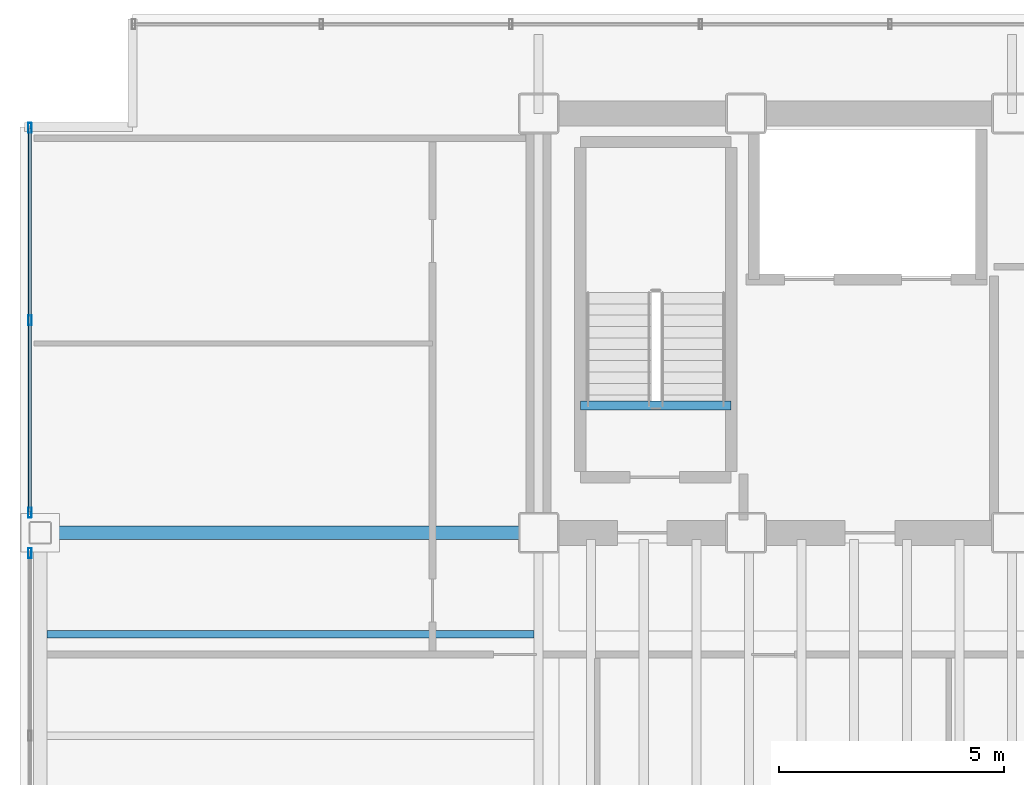
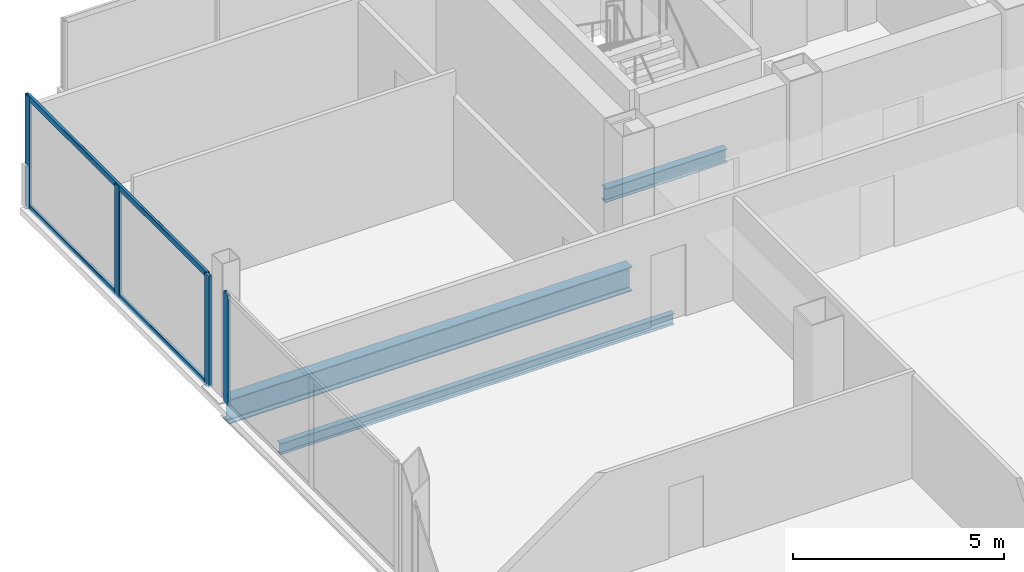
# One storey, part 7 of 20: 6 members, 3 beams, 2 elements without a shape of their own.
"""IFC4 building model written with IfcOpenShell, lengths in metres."""

from ifc_helpers import new_model, si_unit, direction, frame, origin, origin_2d, place, context, subcontext, project, spatial, hollow_rectangle, i_section, extrude, material, material_profile, profile_set, type_object, element, aggregate, save


model = new_model("IFC4")

# Units and contexts
model_context = context("Model", 3, precision=1e-05, world=origin(), true_north=direction((0.0, 1.0)))
body_context = subcontext(model_context, "Body", "Model", "MODEL_VIEW")
ifc_project = project(units=[si_unit("LENGTHUNIT", "METRE"), si_unit("AREAUNIT", "SQUARE_METRE"), si_unit("VOLUMEUNIT", "CUBIC_METRE"), si_unit("PLANEANGLEUNIT", "RADIAN"), si_unit("MASSUNIT", "GRAM", prefix="KILO")], contexts=[model_context])

# Site, building, storey
site_placement = place(None, origin())
site = spatial("IfcSite", under=ifc_project, at=site_placement, CompositionType="ELEMENT")
building_placement = place(site_placement, origin())
building = spatial("IfcBuilding", under=site, at=building_placement, Name="Noeulbin Bourse Tower", CompositionType="ELEMENT")
storey_placement = place(building_placement, frame((0.0, 0.0, 126.60009765625)))
storey = spatial("IfcBuildingStorey", under=building, at=storey_placement, Name="L31", CompositionType="ELEMENT", Elevation=126.60009765625)

# Beams
ifc_material_1 = material(Name="Steel S355", Category="steel")
ifc_material_profile_1 = material_profile(ifc_material_1, i_section(OverallWidth=0.300048828125, OverallDepth=0.699951171875, WebThickness=0.012939453125, FlangeThickness=0.02392578125, FilletRadius=0.02392578125, at=origin_2d()), Name="H-700x300x13x24", Category="LoadBearing")
ifc_profile_set_1 = profile_set([ifc_material_profile_1], Name="Steel S355")
beam_type_1 = type_object("IfcBeamType", Name="BM-GRD-700", PredefinedType="USERDEFINED", material=ifc_profile_set_1)
beam_1_placement = place(storey_placement, frame((2.449951171875, 29.0, -0.530029296875), z_axis=(1.0, 0.0, 0.0), x_axis=(0.0, 1.0, 0.0)))
element("IfcBeam", 1, at=beam_1_placement, inside=storey, type_object=beam_type_1, Name="Tower Primary Girder EW L31-2.1", ObjectType="GIRDER", PredefinedType="USERDEFINED", context=body_context, shape_type="SweptSolid", body=[
    extrude(i_section(OverallWidth=0.300048828125, OverallDepth=0.699951171875, WebThickness=0.012939453125, FlangeThickness=0.02392578125, FilletRadius=0.02392578125, at=origin_2d()), origin(), (0.0, 0.0, 1.0), 11.050048828125),
])
ifc_material_profile_2 = material_profile(ifc_material_1, i_section(OverallWidth=0.159912109375, OverallDepth=0.320068359375, WebThickness=0.006591796875, FlangeThickness=0.010009765625, FilletRadius=0.012939453125, at=origin_2d()), Name="H-320x160x6.5x10", Category="LoadBearing")
ifc_profile_set_2 = profile_set([ifc_material_profile_2], Name="Steel S355")
beam_type_2 = type_object("IfcBeamType", Name="BM-JST-320", PredefinedType="JOIST", material=ifc_profile_set_2)
beam_2_placement = place(storey_placement, frame((2.60009765625, 26.75, -0.340087890625), z_axis=(1.0, 0.0, 0.0), x_axis=(0.0, 1.0, 0.0)))
element("IfcBeam", 2, at=beam_2_placement, inside=storey, type_object=beam_type_2, Name="Wing Composite Joist L31-W49", PredefinedType="JOIST", context=body_context, shape_type="SweptSolid", body=[
    extrude(i_section(OverallWidth=0.159912109375, OverallDepth=0.320068359375, WebThickness=0.006591796875, FlangeThickness=0.010009765625, FilletRadius=0.012939453125, at=origin_2d()), origin(), (0.0, 0.0, 1.0), 10.7998046875),
])
ifc_material_profile_3 = material_profile(ifc_material_1, i_section(OverallWidth=0.199951171875, OverallDepth=0.39990234375, WebThickness=0.008056640625, FlangeThickness=0.012939453125, FilletRadius=0.01611328125, at=origin_2d()), Name="H-400x200x8x13", Category="LoadBearing")
ifc_profile_set_3 = profile_set([ifc_material_profile_3], Name="Steel S355")
beam_type_3 = type_object("IfcBeamType", Name="BM-SEC-400", PredefinedType="BEAM", material=ifc_profile_set_3)
beam_3_placement = place(storey_placement, frame((14.429931640625, 31.820068359375, -0.2001953125), z_axis=(1.0, 0.0, 0.0), x_axis=(0.0, 1.0, 0.0)))
element("IfcBeam", 3, at=beam_3_placement, inside=storey, type_object=beam_type_3, Name="Stair Threshold Trimmer Beam ST1-L31", PredefinedType="BEAM", context=body_context, shape_type="SweptSolid", body=[
    extrude(i_section(OverallWidth=0.199951171875, OverallDepth=0.39990234375, WebThickness=0.008056640625, FlangeThickness=0.012939453125, FilletRadius=0.01611328125, at=origin_2d()), origin(), (0.0, 0.0, 1.0), 3.340087890625),
])

# Curtain wall, member
ifc_material_2 = material(Name="Dark Tinted Triple Glazing", Category="glass")
curtain_wall_type = type_object("IfcCurtainWallType", Name="CW-SYS-3", PredefinedType="NOTDEFINED", material=ifc_material_2)
curtain_wall_1_placement = place(storey_placement, origin())
curtain_wall_1 = element("IfcCurtainWall", 4, at=curtain_wall_1_placement, inside=storey, type_object=curtain_wall_type, Name="Unitised Curtain Wall CW-L31-W-S2", PredefinedType="NOTDEFINED")
ifc_material_3 = material(Name="Anodised Aluminium 6063-T6", Category="aluminium")
ifc_material_profile_4 = material_profile(ifc_material_3, hollow_rectangle(XDim=0.074951171875, YDim=0.219970703125, WallThickness=0.0048828125, InnerFilletRadius=0.00244140625, OuterFilletRadius=0.0048828125, at=origin_2d()), Name="ALU-MULL-75x220x5", Category="LoadBearing")
ifc_profile_set_4 = profile_set([ifc_material_profile_4], Name="Anodised Aluminium 6063-T6")
member_type_1 = type_object("IfcMemberType", Name="CW-SYS-3-MUL", PredefinedType="MULLION", material=ifc_profile_set_4)
member_1_placement = place(storey_placement, frame((2.219970703125, 28.550048828125, -0.02001953125), z_axis=(0.0, 0.0, 1.0), x_axis=(1.0, 0.0, 0.0)))
member_1 = element("IfcMember", 5, at=member_1_placement, type_object=member_type_1, Name="Curtain Wall Mullion CW-L31-W-S2-M02", PredefinedType="MULLION", context=body_context, shape_type="SweptSolid", body=[
    extrude(hollow_rectangle(XDim=0.074951171875, YDim=0.219970703125, WallThickness=0.0048828125, InnerFilletRadius=0.00244140625, OuterFilletRadius=0.0048828125, at=origin_2d()), origin(), (0.0, 0.0, 1.0), 3.219970703125),
])
aggregate(curtain_wall_1, [member_1])

# Curtain wall, members
curtain_wall_2_placement = place(storey_placement, origin())
curtain_wall_2 = element("IfcCurtainWall", 6, at=curtain_wall_2_placement, inside=storey, type_object=curtain_wall_type, Name="Unitised Curtain Wall CW-L31-W-S3", PredefinedType="NOTDEFINED")
member_2_placement = place(storey_placement, frame((2.219970703125, 29.449951171875, -0.02001953125), z_axis=(0.0, 0.0, 1.0), x_axis=(1.0, 0.0, 0.0)))
member_2 = element("IfcMember", 7, at=member_2_placement, type_object=member_type_1, Name="Curtain Wall Mullion CW-L31-W-S3-M00", PredefinedType="MULLION", context=body_context, shape_type="SweptSolid", body=[
    extrude(hollow_rectangle(XDim=0.074951171875, YDim=0.219970703125, WallThickness=0.0048828125, InnerFilletRadius=0.00244140625, OuterFilletRadius=0.0048828125, at=origin_2d()), origin(), (0.0, 0.0, 1.0), 3.219970703125),
])
member_3_placement = place(storey_placement, frame((2.219970703125, 33.715087890625, -0.02001953125), z_axis=(0.0, 0.0, 1.0), x_axis=(1.0, 0.0, 0.0)))
member_3 = element("IfcMember", 8, at=member_3_placement, type_object=member_type_1, Name="Curtain Wall Mullion CW-L31-W-S3-M01", PredefinedType="MULLION", context=body_context, shape_type="SweptSolid", body=[
    extrude(hollow_rectangle(XDim=0.074951171875, YDim=0.219970703125, WallThickness=0.0048828125, InnerFilletRadius=0.00244140625, OuterFilletRadius=0.0048828125, at=origin_2d()), origin(), (0.0, 0.0, 1.0), 3.219970703125),
])
member_4_placement = place(storey_placement, frame((2.219970703125, 37.97998046875, -0.02001953125), z_axis=(0.0, 0.0, 1.0), x_axis=(1.0, 0.0, 0.0)))
member_4 = element("IfcMember", 9, at=member_4_placement, type_object=member_type_1, Name="Curtain Wall Mullion CW-L31-W-S3-M02", PredefinedType="MULLION", context=body_context, shape_type="SweptSolid", body=[
    extrude(hollow_rectangle(XDim=0.074951171875, YDim=0.219970703125, WallThickness=0.0048828125, InnerFilletRadius=0.00244140625, OuterFilletRadius=0.0048828125, at=origin_2d()), origin(), (0.0, 0.0, 1.0), 3.219970703125),
])
ifc_material_profile_5 = material_profile(ifc_material_3, hollow_rectangle(XDim=0.074951171875, YDim=0.159912109375, WallThickness=0.0048828125, InnerFilletRadius=0.00244140625, OuterFilletRadius=0.0048828125, at=origin_2d()), Name="ALU-TRAN-75x160x5", Category="LoadBearing")
ifc_profile_set_5 = profile_set([ifc_material_profile_5], Name="Anodised Aluminium 6063-T6")
member_type_2 = type_object("IfcMemberType", Name="CW-SYS-3-TRN", PredefinedType="USERDEFINED", material=ifc_profile_set_5)
member_5_placement = place(storey_placement, frame((2.219970703125, 29.4599609375, 0.010009765625), z_axis=(0.0, 1.0, 0.0), x_axis=(-1.0, 0.0, 0.0)))
member_5 = element("IfcMember", 10, at=member_5_placement, type_object=member_type_2, Name="Curtain Wall Transom CW-L31-W-S3-T00", ObjectType="TRANSOM", PredefinedType="USERDEFINED", context=body_context, shape_type="SweptSolid", body=[
    extrude(hollow_rectangle(XDim=0.074951171875, YDim=0.159912109375, WallThickness=0.0048828125, InnerFilletRadius=0.00244140625, OuterFilletRadius=0.0048828125, at=origin_2d()), origin(), (0.0, 0.0, 1.0), 8.510009765625),
])
member_6_placement = place(storey_placement, frame((2.219970703125, 29.4599609375, 3.169921875), z_axis=(0.0, 1.0, 0.0), x_axis=(-1.0, 0.0, 0.0)))
member_6 = element("IfcMember", 11, at=member_6_placement, type_object=member_type_2, Name="Curtain Wall Transom CW-L31-W-S3-T01", ObjectType="TRANSOM", PredefinedType="USERDEFINED", context=body_context, shape_type="SweptSolid", body=[
    extrude(hollow_rectangle(XDim=0.074951171875, YDim=0.159912109375, WallThickness=0.0048828125, InnerFilletRadius=0.00244140625, OuterFilletRadius=0.0048828125, at=origin_2d()), origin(), (0.0, 0.0, 1.0), 8.510009765625),
])
aggregate(curtain_wall_2, [member_2, member_3, member_4, member_5, member_6])

save(model, "model.ifc")
